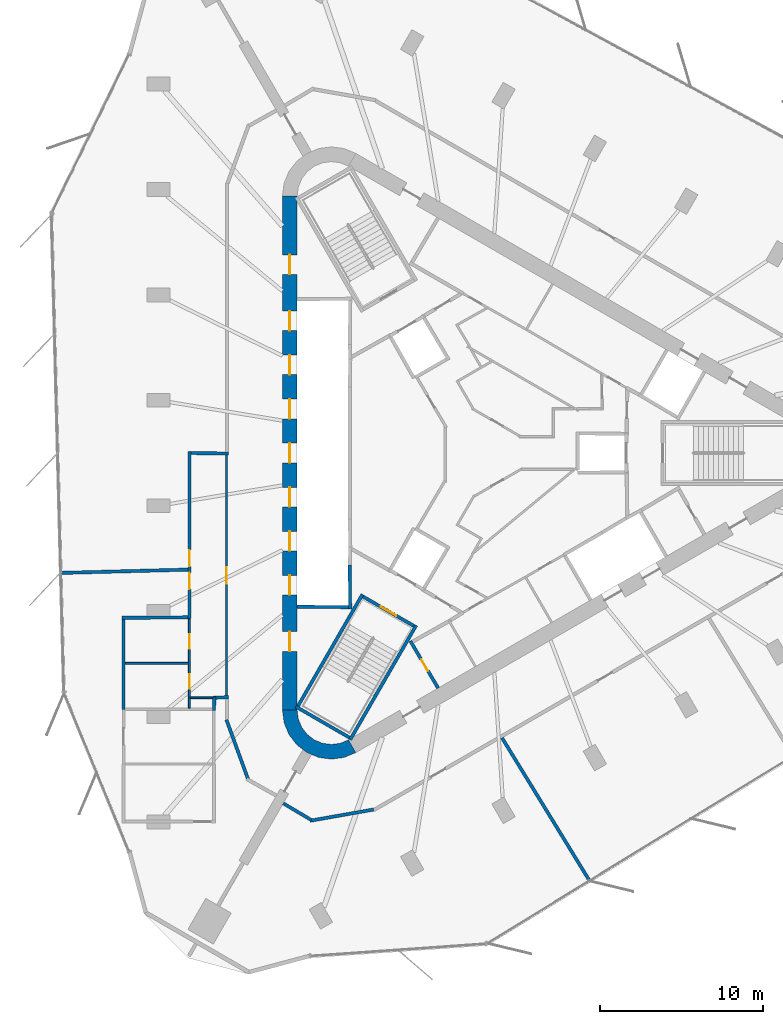
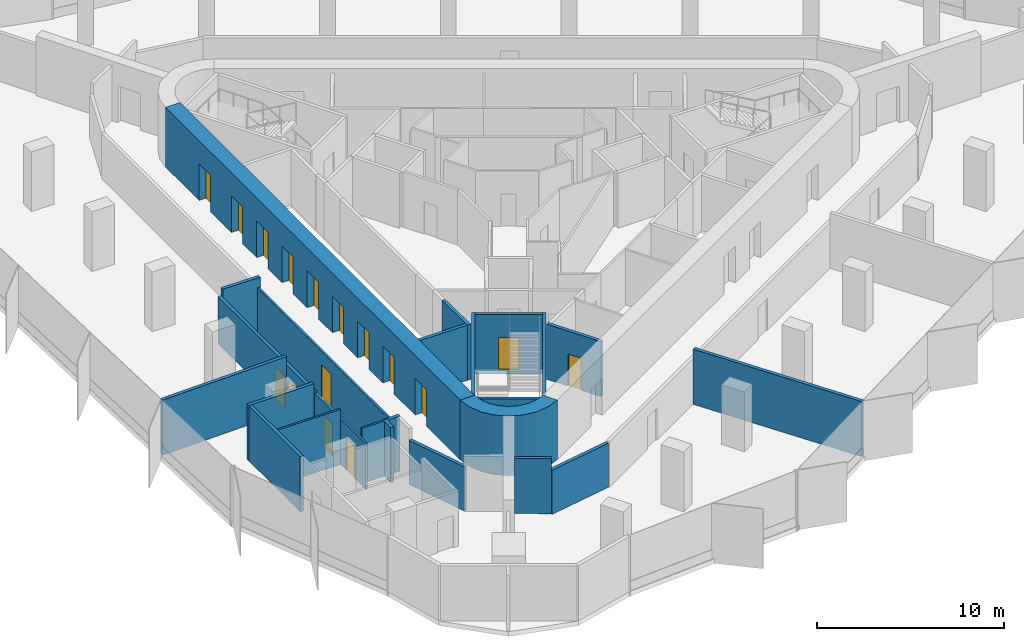
# One storey, part 7 of 12: 24 walls, 16 doors, 16 openings.
"""IFC4 building model written with IfcOpenShell, lengths in metres."""

from ifc_helpers import new_model, si_unit, direction, frame, frame_2d, origin, place, context, subcontext, project, spatial, polyline, rectangle, outline, extrude, material, layer, layer_set, type_object, element, fill, save


model = new_model("IFC4")

# Units and contexts
model_context = context("Model", 3, precision=1e-05, world=origin(), true_north=direction((0.0, 1.0)))
body_context = subcontext(model_context, "Body", "Model", "MODEL_VIEW")
ifc_project = project(units=[si_unit("LENGTHUNIT", "METRE"), si_unit("AREAUNIT", "SQUARE_METRE"), si_unit("VOLUMEUNIT", "CUBIC_METRE"), si_unit("PLANEANGLEUNIT", "RADIAN"), si_unit("MASSUNIT", "GRAM", prefix="KILO")], contexts=[model_context])

# Site, building, storey
site_placement = place(None, origin())
site = spatial("IfcSite", under=ifc_project, at=site_placement, CompositionType="ELEMENT")
building_placement = place(site_placement, origin())
building = spatial("IfcBuilding", under=site, at=building_placement, Name="Tanit Gate Tower", CompositionType="ELEMENT")
storey_placement = place(building_placement, frame((0.0, 0.0, 349.39990234375)))
storey = spatial("IfcBuildingStorey", under=building, at=storey_placement, Name="L79", CompositionType="ELEMENT", Elevation=349.39990234375)

# Wall, openings, doors
ifc_material_1 = material(Name="Concrete C40/50", Category="concrete")
ifc_layer_1 = layer(ifc_material_1, 0.89990234375)
ifc_layer_set_1 = layer_set([ifc_layer_1], Name="CORE WALL 900 C40/50")
wall_type_1 = type_object("IfcWallType", Name="CORE WALL 900 C40/50", PredefinedType="SHEAR", material=ifc_layer_set_1)
wall_1_placement = place(storey_placement, frame((-11.64990234375, 15.76171875, 0.0), z_axis=(0.0, 0.0, 1.0), x_axis=(0.0, -1.0, 0.0)))
wall_1 = element("IfcWall", 1, at=wall_1_placement, inside=storey, type_object=wall_type_1, Name="CORE WALL", PredefinedType="SHEAR", context=body_context, shape_type="SweptSolid", body=[
    extrude(rectangle(XDim=31.5234375, YDim=0.89990234375, at=frame_2d((15.76171875, 0.0))), origin(), (0.0, 0.0, 1.0), 3.900146484375),
])
opening_1_placement = place(wall_1_placement, frame((7.061767578125, 0.0, 0.0)))
opening_1 = element("IfcOpeningElement", 2, at=opening_1_placement, cuts=wall_1, Name="Opening LDHL1-S22", PredefinedType="OPENING", context=body_context, shape_type="SweptSolid", body=[
    extrude(rectangle(XDim=1.199951171875, YDim=2.39990234375, at=frame_2d((0.60009765625, 1.199951171875))), frame((0.0, 0.4599609375, 0.0), z_axis=(0.0, -1.0, 0.0), x_axis=(1.0, 0.0, 0.0)), (0.0, 0.0, 1.0), 0.919921875),
])
opening_2_placement = place(wall_1_placement, frame((9.76171875, 0.0, 0.0)))
opening_2 = element("IfcOpeningElement", 3, at=opening_2_placement, cuts=wall_1, Name="Opening LDHL2-S22", PredefinedType="OPENING", context=body_context, shape_type="SweptSolid", body=[
    extrude(rectangle(XDim=1.199951171875, YDim=2.39990234375, at=frame_2d((0.60009765625, 1.199951171875))), frame((0.0, 0.4599609375, 0.0), z_axis=(0.0, -1.0, 0.0), x_axis=(1.0, 0.0, 0.0)), (0.0, 0.0, 1.0), 0.919921875),
])
opening_3_placement = place(wall_1_placement, frame((12.461669921875, 0.0, 0.0)))
opening_3 = element("IfcOpeningElement", 4, at=opening_3_placement, cuts=wall_1, Name="Opening LDHL3-S22", PredefinedType="OPENING", context=body_context, shape_type="SweptSolid", body=[
    extrude(rectangle(XDim=1.199951171875, YDim=2.39990234375, at=frame_2d((0.60009765625, 1.199951171875))), frame((0.0, 0.4599609375, 0.0), z_axis=(0.0, -1.0, 0.0), x_axis=(1.0, 0.0, 0.0)), (0.0, 0.0, 1.0), 0.919921875),
])
opening_4_placement = place(wall_1_placement, frame((15.16162109375, 0.0, 0.0)))
opening_4 = element("IfcOpeningElement", 5, at=opening_4_placement, cuts=wall_1, Name="Opening LDHL4-S22", PredefinedType="OPENING", context=body_context, shape_type="SweptSolid", body=[
    extrude(rectangle(XDim=1.199951171875, YDim=2.39990234375, at=frame_2d((0.60009765625, 1.199951171875))), frame((0.0, 0.4599609375, 0.0), z_axis=(0.0, -1.0, 0.0), x_axis=(1.0, 0.0, 0.0)), (0.0, 0.0, 1.0), 0.919921875),
])
opening_5_placement = place(wall_1_placement, frame((17.86181640625, 0.0, 0.0)))
opening_5 = element("IfcOpeningElement", 6, at=opening_5_placement, cuts=wall_1, Name="Opening LDHL5-S22", PredefinedType="OPENING", context=body_context, shape_type="SweptSolid", body=[
    extrude(rectangle(XDim=1.199951171875, YDim=2.39990234375, at=frame_2d((0.60009765625, 1.199951171875))), frame((0.0, 0.4599609375, 0.0), z_axis=(0.0, -1.0, 0.0), x_axis=(1.0, 0.0, 0.0)), (0.0, 0.0, 1.0), 0.919921875),
])
opening_6_placement = place(wall_1_placement, frame((20.561767578125, 0.0, 0.0)))
opening_6 = element("IfcOpeningElement", 7, at=opening_6_placement, cuts=wall_1, Name="Opening LDHL6-S22", PredefinedType="OPENING", context=body_context, shape_type="SweptSolid", body=[
    extrude(rectangle(XDim=1.199951171875, YDim=2.39990234375, at=frame_2d((0.60009765625, 1.199951171875))), frame((0.0, 0.4599609375, 0.0), z_axis=(0.0, -1.0, 0.0), x_axis=(1.0, 0.0, 0.0)), (0.0, 0.0, 1.0), 0.919921875),
])
opening_7_placement = place(wall_1_placement, frame((23.26171875, 0.0, 0.0)))
opening_7 = element("IfcOpeningElement", 8, at=opening_7_placement, cuts=wall_1, Name="Opening LDHL7-S22", PredefinedType="OPENING", context=body_context, shape_type="SweptSolid", body=[
    extrude(rectangle(XDim=1.199951171875, YDim=2.39990234375, at=frame_2d((0.60009765625, 1.199951171875))), frame((0.0, 0.4599609375, 0.0), z_axis=(0.0, -1.0, 0.0), x_axis=(1.0, 0.0, 0.0)), (0.0, 0.0, 1.0), 0.919921875),
])
opening_8_placement = place(wall_1_placement, frame((3.61181640625, 0.0, 0.0)))
opening_8 = element("IfcOpeningElement", 9, at=opening_8_placement, cuts=wall_1, Name="Opening F12-S22-FL2", PredefinedType="OPENING", context=body_context, shape_type="SweptSolid", body=[
    extrude(rectangle(XDim=1.199951171875, YDim=2.39990234375, at=frame_2d((0.60009765625, 1.199951171875))), frame((0.0, 0.4599609375, 0.0), z_axis=(0.0, -1.0, 0.0), x_axis=(1.0, 0.0, 0.0)), (0.0, 0.0, 1.0), 0.919921875),
])
opening_9_placement = place(wall_1_placement, frame((26.711669921875, 0.0, 0.0)))
opening_9 = element("IfcOpeningElement", 10, at=opening_9_placement, cuts=wall_1, Name="Opening F12-S22-S3", PredefinedType="OPENING", context=body_context, shape_type="SweptSolid", body=[
    extrude(rectangle(XDim=1.199951171875, YDim=2.39990234375, at=frame_2d((0.60009765625, 1.199951171875))), frame((0.0, 0.4599609375, 0.0), z_axis=(0.0, -1.0, 0.0), x_axis=(1.0, 0.0, 0.0)), (0.0, 0.0, 1.0), 0.919921875),
])
ifc_material_2 = material(Name="Fire-rated steel door leaf", Category="steel")
door_type_1 = type_object("IfcDoorType", Name="INT-DOOR-FIRE-LOBBY-1200", OperationType="NOTDEFINED", PredefinedType="USERDEFINED", material=ifc_material_2)
door_1_placement = place(opening_8_placement, origin())
door_1 = element("IfcDoor", 11, at=door_1_placement, inside=storey, type_object=door_type_1, Name="Door F12-S22-FL2", ObjectType="FIRE DOOR", OperationType="SINGLE_SWING_LEFT", OverallHeight=2.39990234375, OverallWidth=1.199951171875, PredefinedType="USERDEFINED", context=body_context, shape_type="SweptSolid", body=[
    extrude(rectangle(XDim=1.199951171875, YDim=2.39990234375, at=frame_2d((0.60009765625, 1.199951171875))), frame((0.0, 0.02490234375, 0.0), z_axis=(0.0, -1.0, 0.0), x_axis=(1.0, 0.0, 0.0)), (0.0, 0.0, 1.0), 0.050048828125),
])
fill(opening_8, door_1)
door_2_placement = place(opening_9_placement, origin())
door_2 = element("IfcDoor", 12, at=door_2_placement, inside=storey, type_object=door_type_1, Name="Door F12-S22-S3", ObjectType="FIRE DOOR", OperationType="SINGLE_SWING_RIGHT", OverallHeight=2.39990234375, OverallWidth=1.199951171875, PredefinedType="USERDEFINED", context=body_context, shape_type="SweptSolid", body=[
    extrude(rectangle(XDim=1.199951171875, YDim=2.39990234375, at=frame_2d((0.60009765625, 1.199951171875))), frame((0.0, 0.02490234375, 0.0), z_axis=(0.0, -1.0, 0.0), x_axis=(1.0, 0.0, 0.0)), (0.0, 0.0, 1.0), 0.050048828125),
])
fill(opening_9, door_2)
ifc_material_3 = material(Name="Stainless steel sliding door leaf", Category="steel")
door_type_2 = type_object("IfcDoorType", Name="INT-DOOR-LANDING-1200", OperationType="NOTDEFINED", PredefinedType="USERDEFINED", material=ifc_material_3)
door_3_placement = place(opening_1_placement, origin())
door_3 = element("IfcDoor", 13, at=door_3_placement, inside=storey, type_object=door_type_2, Name="Door LDHL1-S22", ObjectType="LANDING DOOR", OperationType="SLIDING_TO_LEFT", OverallHeight=2.39990234375, OverallWidth=1.199951171875, PredefinedType="USERDEFINED", context=body_context, shape_type="SweptSolid", body=[
    extrude(rectangle(XDim=1.199951171875, YDim=2.39990234375, at=frame_2d((0.60009765625, 1.199951171875))), frame((0.0, 0.02490234375, 0.0), z_axis=(0.0, -1.0, 0.0), x_axis=(1.0, 0.0, 0.0)), (0.0, 0.0, 1.0), 0.050048828125),
])
fill(opening_1, door_3)
door_4_placement = place(opening_2_placement, origin())
door_4 = element("IfcDoor", 14, at=door_4_placement, inside=storey, type_object=door_type_2, Name="Door LDHL2-S22", ObjectType="LANDING DOOR", OperationType="SLIDING_TO_LEFT", OverallHeight=2.39990234375, OverallWidth=1.199951171875, PredefinedType="USERDEFINED", context=body_context, shape_type="SweptSolid", body=[
    extrude(rectangle(XDim=1.199951171875, YDim=2.39990234375, at=frame_2d((0.60009765625, 1.199951171875))), frame((0.0, 0.02490234375, 0.0), z_axis=(0.0, -1.0, 0.0), x_axis=(1.0, 0.0, 0.0)), (0.0, 0.0, 1.0), 0.050048828125),
])
fill(opening_2, door_4)
door_5_placement = place(opening_3_placement, origin())
door_5 = element("IfcDoor", 15, at=door_5_placement, inside=storey, type_object=door_type_2, Name="Door LDHL3-S22", ObjectType="LANDING DOOR", OperationType="SLIDING_TO_LEFT", OverallHeight=2.39990234375, OverallWidth=1.199951171875, PredefinedType="USERDEFINED", context=body_context, shape_type="SweptSolid", body=[
    extrude(rectangle(XDim=1.199951171875, YDim=2.39990234375, at=frame_2d((0.60009765625, 1.199951171875))), frame((0.0, 0.02490234375, 0.0), z_axis=(0.0, -1.0, 0.0), x_axis=(1.0, 0.0, 0.0)), (0.0, 0.0, 1.0), 0.050048828125),
])
fill(opening_3, door_5)
door_6_placement = place(opening_4_placement, origin())
door_6 = element("IfcDoor", 16, at=door_6_placement, inside=storey, type_object=door_type_2, Name="Door LDHL4-S22", ObjectType="LANDING DOOR", OperationType="SLIDING_TO_LEFT", OverallHeight=2.39990234375, OverallWidth=1.199951171875, PredefinedType="USERDEFINED", context=body_context, shape_type="SweptSolid", body=[
    extrude(rectangle(XDim=1.199951171875, YDim=2.39990234375, at=frame_2d((0.60009765625, 1.199951171875))), frame((0.0, 0.02490234375, 0.0), z_axis=(0.0, -1.0, 0.0), x_axis=(1.0, 0.0, 0.0)), (0.0, 0.0, 1.0), 0.050048828125),
])
fill(opening_4, door_6)
door_7_placement = place(opening_5_placement, origin())
door_7 = element("IfcDoor", 17, at=door_7_placement, inside=storey, type_object=door_type_2, Name="Door LDHL5-S22", ObjectType="LANDING DOOR", OperationType="SLIDING_TO_LEFT", OverallHeight=2.39990234375, OverallWidth=1.199951171875, PredefinedType="USERDEFINED", context=body_context, shape_type="SweptSolid", body=[
    extrude(rectangle(XDim=1.199951171875, YDim=2.39990234375, at=frame_2d((0.60009765625, 1.199951171875))), frame((0.0, 0.02490234375, 0.0), z_axis=(0.0, -1.0, 0.0), x_axis=(1.0, 0.0, 0.0)), (0.0, 0.0, 1.0), 0.050048828125),
])
fill(opening_5, door_7)
door_8_placement = place(opening_6_placement, origin())
door_8 = element("IfcDoor", 18, at=door_8_placement, inside=storey, type_object=door_type_2, Name="Door LDHL6-S22", ObjectType="LANDING DOOR", OperationType="SLIDING_TO_LEFT", OverallHeight=2.39990234375, OverallWidth=1.199951171875, PredefinedType="USERDEFINED", context=body_context, shape_type="SweptSolid", body=[
    extrude(rectangle(XDim=1.199951171875, YDim=2.39990234375, at=frame_2d((0.60009765625, 1.199951171875))), frame((0.0, 0.02490234375, 0.0), z_axis=(0.0, -1.0, 0.0), x_axis=(1.0, 0.0, 0.0)), (0.0, 0.0, 1.0), 0.050048828125),
])
fill(opening_6, door_8)
door_9_placement = place(opening_7_placement, origin())
door_9 = element("IfcDoor", 19, at=door_9_placement, inside=storey, type_object=door_type_2, Name="Door LDHL7-S22", ObjectType="LANDING DOOR", OperationType="SLIDING_TO_LEFT", OverallHeight=2.39990234375, OverallWidth=1.199951171875, PredefinedType="USERDEFINED", context=body_context, shape_type="SweptSolid", body=[
    extrude(rectangle(XDim=1.199951171875, YDim=2.39990234375, at=frame_2d((0.60009765625, 1.199951171875))), frame((0.0, 0.02490234375, 0.0), z_axis=(0.0, -1.0, 0.0), x_axis=(1.0, 0.0, 0.0)), (0.0, 0.0, 1.0), 0.050048828125),
])
fill(opening_7, door_9)

# Wall
wall_2_placement = place(storey_placement, origin())
element("IfcWall", 20, at=wall_2_placement, inside=storey, type_object=wall_type_1, Name="CORE WALL CORNER", PredefinedType="SHEAR", context=body_context, shape_type="SweptSolid", body=[
    extrude(outline(polyline([(-12.10009765625, -15.76171875), (-11.997802734375, -16.5380859375), (-11.697998046875, -17.26171875), (-11.22119140625, -17.883056640625), (-10.60009765625, -18.359619140625), (-9.87646484375, -18.659423828125), (-9.10009765625, -18.76171875), (-8.323486328125, -18.659423828125), (-7.60009765625, -18.359619140625), (-8.050048828125, -17.580322265625), (-8.556396484375, -17.7900390625), (-9.10009765625, -17.86181640625), (-9.6435546875, -17.7900390625), (-10.14990234375, -17.580322265625), (-10.5849609375, -17.24658203125), (-10.918701171875, -16.811767578125), (-11.12841796875, -16.30517578125), (-11.199951171875, -15.76171875), (-12.10009765625, -15.76171875)])), origin(), (0.0, 0.0, 1.0), 3.900146484375),
])

# Wall, opening, door
ifc_material_4 = material(Name="Fire-rated gypsum board partition")
ifc_layer_2 = layer(ifc_material_4, 0.199951171875)
ifc_layer_set_2 = layer_set([ifc_layer_2], Name="INT-WALL-COMPARTMENT")
wall_type_2 = type_object("IfcWallType", Name="INT-WALL-COMPARTMENT", PredefinedType="PARTITIONING", material=ifc_layer_set_2)
wall_3_placement = place(storey_placement, frame((-4.259765625, -11.523681640625, 0.0), z_axis=(0.0, 0.0, 1.0), x_axis=(0.507997497166, -0.861358544901, 0.0)))
wall_3 = element("IfcWall", 21, at=wall_3_placement, inside=storey, type_object=wall_type_2, Name="Wall Compartment W053", PredefinedType="PARTITIONING", context=body_context, shape_type="SweptSolid", body=[
    extrude(rectangle(XDim=3.350341796875, YDim=0.199951171875, at=frame_2d((1.67529296875, 0.0))), origin(), (0.0, 0.0, 1.0), 3.60009765625),
])
opening_10_placement = place(wall_3_placement, frame((1.3251953125, 0.0, 0.0)))
opening_10 = element("IfcOpeningElement", 22, at=opening_10_placement, cuts=wall_3, Name="Opening R08-S22-17", PredefinedType="OPENING", context=body_context, shape_type="SweptSolid", body=[
    extrude(rectangle(XDim=0.800048828125, YDim=2.10009765625, at=frame_2d((0.39990234375, 1.050048828125))), frame((0.0, 0.10986328125, 0.0), z_axis=(0.0, -1.0, 0.0), x_axis=(1.0, 0.0, 0.0)), (0.0, 0.0, 1.0), 0.219970703125),
])
ifc_material_5 = material(Name="Timber door leaf", Category="wood")
door_type_3 = type_object("IfcDoorType", Name="INT-DOOR-RISER-800", OperationType="NOTDEFINED", PredefinedType="USERDEFINED", material=ifc_material_5)
door_10_placement = place(opening_10_placement, origin())
door_10 = element("IfcDoor", 23, at=door_10_placement, inside=storey, type_object=door_type_3, Name="Door R08-S22-17", ObjectType="FIRE DOOR", OperationType="SINGLE_SWING_RIGHT", OverallHeight=2.10009765625, OverallWidth=0.800048828125, PredefinedType="USERDEFINED", context=body_context, shape_type="SweptSolid", body=[
    extrude(rectangle(XDim=0.800048828125, YDim=2.10009765625, at=frame_2d((0.39990234375, 1.050048828125))), frame((0.0, 0.02490234375, 0.0), z_axis=(0.0, -1.0, 0.0), x_axis=(1.0, 0.0, 0.0)), (0.0, 0.0, 1.0), 0.050048828125),
])
fill(opening_10, door_10)

# Wall, openings, doors
wall_4_placement = place(storey_placement, frame((-17.800048828125, 0.10009765625, 0.0), z_axis=(0.0, 0.0, 1.0), x_axis=(0.0, -1.0, 0.0)))
wall_4 = element("IfcWall", 24, at=wall_4_placement, inside=storey, type_object=wall_type_2, Name="Wall Compartment W094", PredefinedType="PARTITIONING", context=body_context, shape_type="SweptSolid", body=[
    extrude(rectangle(XDim=10.22998046875, YDim=0.199951171875, at=frame_2d((5.114990234375, 0.0))), origin(), (0.0, 0.0, 1.0), 3.070068359375),
])
opening_11_placement = place(wall_4_placement, frame((7.444580078125, 0.0, 0.0)))
opening_11 = element("IfcOpeningElement", 25, at=opening_11_placement, cuts=wall_4, Name="Opening F10-S22-26", PredefinedType="OPENING", context=body_context, shape_type="SweptSolid", body=[
    extrude(rectangle(XDim=1.0, YDim=2.10009765625, at=frame_2d((0.5, 1.050048828125))), frame((0.0, 0.10986328125, 0.0), z_axis=(0.0, -1.0, 0.0), x_axis=(1.0, 0.0, 0.0)), (0.0, 0.0, 1.0), 0.219970703125),
])
opening_12_placement = place(wall_4_placement, frame((6.044677734375, 0.0, 0.0)))
opening_12 = element("IfcOpeningElement", 26, at=opening_12_placement, cuts=wall_4, Name="Opening F10-S22-27", PredefinedType="OPENING", context=body_context, shape_type="SweptSolid", body=[
    extrude(rectangle(XDim=1.0, YDim=2.10009765625, at=frame_2d((0.5, 1.050048828125))), frame((0.0, 0.10986328125, 0.0), z_axis=(0.0, -1.0, 0.0), x_axis=(1.0, 0.0, 0.0)), (0.0, 0.0, 1.0), 0.219970703125),
])
ifc_material_6 = material(Name="Fire-rated steel door leaf", Category="steel")
door_type_4 = type_object("IfcDoorType", Name="INT-DOOR-FIRE-1000", OperationType="NOTDEFINED", PredefinedType="USERDEFINED", material=ifc_material_6)
door_11_placement = place(opening_11_placement, origin())
door_11 = element("IfcDoor", 27, at=door_11_placement, inside=storey, type_object=door_type_4, Name="Door F10-S22-26", ObjectType="FIRE DOOR", OperationType="SINGLE_SWING_RIGHT", OverallHeight=2.10009765625, OverallWidth=1.0, PredefinedType="USERDEFINED", context=body_context, shape_type="SweptSolid", body=[
    extrude(rectangle(XDim=1.0, YDim=2.10009765625, at=frame_2d((0.5, 1.050048828125))), frame((0.0, 0.02490234375, 0.0), z_axis=(0.0, -1.0, 0.0), x_axis=(1.0, 0.0, 0.0)), (0.0, 0.0, 1.0), 0.050048828125),
])
fill(opening_11, door_11)
door_12_placement = place(opening_12_placement, origin())
door_12 = element("IfcDoor", 28, at=door_12_placement, inside=storey, type_object=door_type_4, Name="Door F10-S22-27", ObjectType="FIRE DOOR", OperationType="SINGLE_SWING_LEFT", OverallHeight=2.10009765625, OverallWidth=1.0, PredefinedType="USERDEFINED", context=body_context, shape_type="SweptSolid", body=[
    extrude(rectangle(XDim=1.0, YDim=2.10009765625, at=frame_2d((0.5, 1.050048828125))), frame((0.0, 0.02490234375, 0.0), z_axis=(0.0, -1.0, 0.0), x_axis=(1.0, 0.0, 0.0)), (0.0, 0.0, 1.0), 0.050048828125),
])
fill(opening_12, door_12)

# Walls
wall_5_placement = place(storey_placement, frame((-16.330078125, -15.0, 0.0), z_axis=(0.0, 0.0, 1.0), x_axis=(0.999344339616, 0.036206227059, 0.0)))
element("IfcWall", 29, at=wall_5_placement, inside=storey, type_object=wall_type_2, Name="Wall Compartment W093", PredefinedType="PARTITIONING", context=body_context, shape_type="SweptSolid", body=[
    extrude(rectangle(XDim=0.930419921875, YDim=0.199951171875, at=frame_2d((0.46533203125, 0.0))), origin(), (0.0, 0.0, 1.0), 3.60009765625),
])
wall_6_placement = place(storey_placement, frame((-15.39990234375, -0.03125, 0.0), z_axis=(0.0, 0.0, 1.0), x_axis=(-0.999914782125, 0.013054826261, 0.0)))
element("IfcWall", 30, at=wall_6_placement, inside=storey, type_object=wall_type_2, Name="Wall Compartment W095", PredefinedType="PARTITIONING", context=body_context, shape_type="SweptSolid", body=[
    extrude(rectangle(XDim=2.30029296875, YDim=0.199951171875, at=frame_2d((1.150146484375, 0.0))), origin(), (0.0, 0.0, 1.0), 3.60009765625),
])
wall_7_placement = place(storey_placement, frame((-15.5341796875, -16.346435546875, 0.0), z_axis=(0.0, 0.0, 1.0), x_axis=(0.342001008711, -0.939699584996, 0.0)))
element("IfcWall", 31, at=wall_7_placement, inside=storey, type_object=wall_type_2, Name="Wall Compartment W100", PredefinedType="PARTITIONING", context=body_context, shape_type="SweptSolid", body=[
    extrude(rectangle(XDim=3.87548828125, YDim=0.199951171875, at=frame_2d((1.937744140625, 0.0))), origin(), (0.0, 0.0, 1.0), 2.880126953125),
])
wall_8_placement = place(storey_placement, frame((-10.405517578125, -22.53759765625, 0.0), z_axis=(0.0, 0.0, 1.0), x_axis=(0.98480284819, 0.173675991999, 0.0)))
element("IfcWall", 32, at=wall_8_placement, inside=storey, type_object=wall_type_2, Name="Wall Compartment W115", PredefinedType="PARTITIONING", context=body_context, shape_type="SweptSolid", body=[
    extrude(rectangle(XDim=3.94873046875, YDim=0.199951171875, at=frame_2d((1.974365234375, 0.0))), origin(), (0.0, 0.0, 1.0), 2.880126953125),
])
wall_9_placement = place(storey_placement, frame((-12.05029296875, -21.4716796875, 0.0), z_axis=(0.0, 0.0, 1.0), x_axis=(0.859577966481, -0.511004617924, 0.0)))
element("IfcWall", 33, at=wall_9_placement, inside=storey, type_object=wall_type_2, Name="Wall Compartment W116", PredefinedType="PARTITIONING", context=body_context, shape_type="SweptSolid", body=[
    extrude(rectangle(XDim=1.99755859375, YDim=0.199951171875, at=frame_2d((0.998779296875, 0.0))), origin(), (0.0, 0.0, 1.0), 3.60009765625),
])
wall_10_placement = place(storey_placement, frame((-25.68115234375, -7.348876953125, 0.0), z_axis=(0.0, 0.0, 1.0), x_axis=(0.999664345276, 0.025907465776, 0.0)))
element("IfcWall", 34, at=wall_10_placement, inside=storey, type_object=wall_type_2, Name="Wall Compartment W117", PredefinedType="PARTITIONING", context=body_context, shape_type="SweptSolid", body=[
    extrude(rectangle(XDim=7.783935546875, YDim=0.199951171875, at=frame_2d((3.89208984375, 0.0))), origin(), (0.0, 0.0, 1.0), 3.60009765625),
])
wall_11_placement = place(storey_placement, frame((-17.89990234375, -10.07080078125, 0.0), z_axis=(0.0, 0.0, 1.0), x_axis=(-0.999972376977, -0.007432717088, 0.0)))
element("IfcWall", 35, at=wall_11_placement, inside=storey, type_object=wall_type_2, Name="Wall Compartment W120", PredefinedType="PARTITIONING", context=body_context, shape_type="SweptSolid", body=[
    extrude(rectangle(XDim=4.0400390625, YDim=0.199951171875, at=frame_2d((2.02001953125, 0.0))), origin(), (0.0, 0.0, 1.0), 3.60009765625),
])
wall_12_placement = place(storey_placement, frame((-21.840087890625, -15.704345703125, 0.0), z_axis=(0.0, 0.0, 1.0), x_axis=(0.0, 1.0, 0.0)))
element("IfcWall", 36, at=wall_12_placement, inside=storey, type_object=wall_type_2, Name="Wall Compartment W122", PredefinedType="PARTITIONING", context=body_context, shape_type="SweptSolid", body=[
    extrude(rectangle(XDim=5.50439453125, YDim=0.199951171875, at=frame_2d((2.752197265625, 0.0))), origin(), (0.0, 0.0, 1.0), 3.60009765625),
])
wall_13_placement = place(storey_placement, frame((-16.300048828125, -15.771728515625, 0.0), z_axis=(0.0, 0.0, 1.0), x_axis=(0.039007565522, 0.999238915291, 0.0)))
element("IfcWall", 37, at=wall_13_placement, inside=storey, type_object=wall_type_2, Name="Wall Compartment W123", PredefinedType="PARTITIONING", context=body_context, shape_type="SweptSolid", body=[
    extrude(rectangle(XDim=0.83251953125, YDim=0.199951171875, at=frame_2d((0.416259765625, 0.0))), origin(), (0.0, 0.0, 1.0), 3.60009765625),
])
wall_14_placement = place(storey_placement, frame((6.71875, -26.213134765625, 0.0), z_axis=(0.0, 0.0, 1.0), x_axis=(-0.522271430508, 0.852779310769, 0.0)))
element("IfcWall", 38, at=wall_14_placement, inside=storey, type_object=wall_type_2, Name="Wall Compartment W134", PredefinedType="PARTITIONING", context=body_context, shape_type="SweptSolid", body=[
    extrude(rectangle(XDim=10.263916015625, YDim=0.199951171875, at=frame_2d((5.1318359375, 0.0))), origin(), (0.0, 0.0, 1.0), 3.60009765625),
])

# Wall, opening, door
ifc_material_7 = material(Name="Gypsum board partition")
ifc_layer_3 = layer(ifc_material_7, 0.1201171875)
ifc_layer_set_3 = layer_set([ifc_layer_3], Name="INT-WALL-PARTITION")
wall_type_3 = type_object("IfcWallType", Name="INT-WALL-PARTITION", PredefinedType="PARTITIONING", material=ifc_layer_set_3)
wall_15_placement = place(storey_placement, frame((-15.530029296875, 0.0, 0.0), z_axis=(0.0, 0.0, 1.0), x_axis=(0.0, -1.0, 0.0)))
wall_15 = element("IfcWall", 39, at=wall_15_placement, inside=storey, type_object=wall_type_3, Name="Wall Partition W091", PredefinedType="PARTITIONING", context=body_context, shape_type="SweptSolid", body=[
    extrude(rectangle(XDim=15.0, YDim=0.1201171875, at=frame_2d((7.5, 0.0))), origin(), (0.0, 0.0, 1.0), 2.97021484375),
])
opening_13_placement = place(wall_15_placement, frame((7.0, 0.0, 0.0)))
opening_13 = element("IfcOpeningElement", 40, at=opening_13_placement, cuts=wall_15, Name="Opening D10-S22-21", PredefinedType="OPENING", context=body_context, shape_type="SweptSolid", body=[
    extrude(rectangle(XDim=1.0, YDim=2.10009765625, at=frame_2d((0.5, 1.050048828125))), frame((0.0, 0.070068359375, 0.0), z_axis=(0.0, -1.0, 0.0), x_axis=(1.0, 0.0, 0.0)), (0.0, 0.0, 1.0), 0.14013671875),
])
ifc_material_8 = material(Name="Timber door leaf", Category="wood")
door_type_5 = type_object("IfcDoorType", Name="INT-DOOR-SINGLE-1000", OperationType="NOTDEFINED", PredefinedType="NOTDEFINED", material=ifc_material_8)
door_13_placement = place(opening_13_placement, origin())
door_13 = element("IfcDoor", 41, at=door_13_placement, inside=storey, type_object=door_type_5, Name="Door D10-S22-21", OperationType="SINGLE_SWING_LEFT", OverallHeight=2.10009765625, OverallWidth=1.0, PredefinedType="NOTDEFINED", context=body_context, shape_type="SweptSolid", body=[
    extrude(rectangle(XDim=1.0, YDim=2.10009765625, at=frame_2d((0.5, 1.050048828125))), frame((0.0, 0.02490234375, 0.0), z_axis=(0.0, -1.0, 0.0), x_axis=(1.0, 0.0, 0.0)), (0.0, 0.0, 1.0), 0.050048828125),
])
fill(opening_13, door_13)

# Wall, openings, doors
wall_16_placement = place(storey_placement, frame((-17.800048828125, -10.169921875, 0.0), z_axis=(0.0, 0.0, 1.0), x_axis=(0.0, -1.0, 0.0)))
wall_16 = element("IfcWall", 42, at=wall_16_placement, inside=storey, type_object=wall_type_3, Name="Wall Partition W096", PredefinedType="PARTITIONING", context=body_context, shape_type="SweptSolid", body=[
    extrude(rectangle(XDim=5.466796875, YDim=0.1201171875, at=frame_2d((2.7333984375, 0.0))), origin(), (0.0, 0.0, 1.0), 2.97021484375),
])
opening_14_placement = place(wall_16_placement, frame((0.940185546875, 0.0, 0.0)))
opening_14 = element("IfcOpeningElement", 43, at=opening_14_placement, cuts=wall_16, Name="Opening D09-S22-22", PredefinedType="OPENING", context=body_context, shape_type="SweptSolid", body=[
    extrude(rectangle(XDim=0.89990234375, YDim=2.10009765625, at=frame_2d((0.449951171875, 1.050048828125))), frame((0.0, 0.070068359375, 0.0), z_axis=(0.0, -1.0, 0.0), x_axis=(1.0, 0.0, 0.0)), (0.0, 0.0, 1.0), 0.14013671875),
])
opening_15_placement = place(wall_16_placement, frame((3.385009765625, 0.0, 0.0)))
opening_15 = element("IfcOpeningElement", 44, at=opening_15_placement, cuts=wall_16, Name="Opening D09-S22-23", PredefinedType="OPENING", context=body_context, shape_type="SweptSolid", body=[
    extrude(rectangle(XDim=0.89990234375, YDim=2.10009765625, at=frame_2d((0.449951171875, 1.050048828125))), frame((0.0, 0.070068359375, 0.0), z_axis=(0.0, -1.0, 0.0), x_axis=(1.0, 0.0, 0.0)), (0.0, 0.0, 1.0), 0.14013671875),
])
ifc_material_9 = material(Name="Timber door leaf", Category="wood")
door_type_6 = type_object("IfcDoorType", Name="INT-DOOR-SINGLE-900", OperationType="NOTDEFINED", PredefinedType="NOTDEFINED", material=ifc_material_9)
door_14_placement = place(opening_14_placement, origin())
door_14 = element("IfcDoor", 45, at=door_14_placement, inside=storey, type_object=door_type_6, Name="Door D09-S22-22", OperationType="SINGLE_SWING_RIGHT", OverallHeight=2.10009765625, OverallWidth=0.89990234375, PredefinedType="NOTDEFINED", context=body_context, shape_type="SweptSolid", body=[
    extrude(rectangle(XDim=0.89990234375, YDim=2.10009765625, at=frame_2d((0.449951171875, 1.050048828125))), frame((0.0, 0.02490234375, 0.0), z_axis=(0.0, -1.0, 0.0), x_axis=(1.0, 0.0, 0.0)), (0.0, 0.0, 1.0), 0.050048828125),
])
fill(opening_14, door_14)
door_15_placement = place(opening_15_placement, origin())
door_15 = element("IfcDoor", 46, at=door_15_placement, inside=storey, type_object=door_type_6, Name="Door D09-S22-23", OperationType="SINGLE_SWING_LEFT", OverallHeight=2.10009765625, OverallWidth=0.89990234375, PredefinedType="NOTDEFINED", context=body_context, shape_type="SweptSolid", body=[
    extrude(rectangle(XDim=0.89990234375, YDim=2.10009765625, at=frame_2d((0.449951171875, 1.050048828125))), frame((0.0, 0.02490234375, 0.0), z_axis=(0.0, -1.0, 0.0), x_axis=(1.0, 0.0, 0.0)), (0.0, 0.0, 1.0), 0.050048828125),
])
fill(opening_15, door_15)

# Walls
wall_17_placement = place(storey_placement, frame((-17.739990234375, -15.0, 0.0), z_axis=(0.0, 0.0, 1.0), x_axis=(1.0, 0.0, 0.0)))
element("IfcWall", 47, at=wall_17_placement, inside=storey, type_object=wall_type_3, Name="Wall Partition W097", PredefinedType="PARTITIONING", context=body_context, shape_type="SweptSolid", body=[
    extrude(rectangle(XDim=1.369873046875, YDim=0.1201171875, at=frame_2d((0.68505859375, 0.0))), origin(), (0.0, 0.0, 1.0), 3.60009765625),
])
wall_18_placement = place(storey_placement, frame((-17.860107421875, -12.89013671875, 0.0), z_axis=(0.0, 0.0, 1.0), x_axis=(-1.0, 0.0, 0.0)))
element("IfcWall", 48, at=wall_18_placement, inside=storey, type_object=wall_type_3, Name="Wall Partition W135", PredefinedType="PARTITIONING", context=body_context, shape_type="SweptSolid", body=[
    extrude(rectangle(XDim=3.8798828125, YDim=0.1201171875, at=frame_2d((1.93994140625, 0.0))), origin(), (0.0, 0.0, 1.0), 3.60009765625),
])
ifc_material_10 = material(Name="Gypsum shaft wall system")
ifc_layer_4 = layer(ifc_material_10, 0.199951171875)
ifc_layer_set_4 = layer_set([ifc_layer_4], Name="INT-WALL-SHAFT")
wall_type_4 = type_object("IfcWallType", Name="INT-WALL-SHAFT", PredefinedType="PLUMBINGWALL", material=ifc_layer_set_4)
wall_19_placement = place(storey_placement, frame((-7.97900390625, -6.85009765625, 0.0), z_axis=(0.0, 0.0, 1.0), x_axis=(0.011121475088, -0.999938154483, 0.0)))
element("IfcWall", 49, at=wall_19_placement, inside=storey, type_object=wall_type_4, Name="Wall Shaft W010", PredefinedType="PLUMBINGWALL", context=body_context, shape_type="SweptSolid", body=[
    extrude(rectangle(XDim=2.7001953125, YDim=0.199951171875, at=frame_2d((1.35009765625, 0.0))), origin(), (0.0, 0.0, 1.0), 3.60009765625),
])
wall_20_placement = place(storey_placement, frame((-8.050048828125, -9.448974609375, 0.0), z_axis=(0.0, 0.0, 1.0), x_axis=(-0.999957467379, 0.009222983926, 0.0)))
element("IfcWall", 50, at=wall_20_placement, inside=storey, type_object=wall_type_4, Name="Wall Shaft W011", PredefinedType="PLUMBINGWALL", context=body_context, shape_type="SweptSolid", body=[
    extrude(rectangle(XDim=3.150146484375, YDim=0.199951171875, at=frame_2d((1.5751953125, 0.0))), origin(), (0.0, 0.0, 1.0), 3.60009765625),
])
ifc_material_11 = material(Name="Concrete C40/50", Category="concrete")
ifc_layer_5 = layer(ifc_material_11, 0.199951171875)
ifc_layer_set_5 = layer_set([ifc_layer_5], Name="INT-WALL-STAIR")
wall_type_5 = type_object("IfcWallType", Name="INT-WALL-STAIR", PredefinedType="SHEAR", material=ifc_layer_set_5)
wall_21_placement = place(storey_placement, frame((-3.904541015625, -10.56298828125, -0.2998046875), z_axis=(0.0, 0.0, 1.0), x_axis=(-0.500012932018, -0.866017937352, 0.0)))
element("IfcWall", 51, at=wall_21_placement, inside=storey, type_object=wall_type_5, Name="Wall Stair W036", PredefinedType="SHEAR", context=body_context, shape_type="SweptSolid", body=[
    extrude(rectangle(XDim=8.099853515625, YDim=0.199951171875, at=frame_2d((4.0498046875, 0.0))), origin(), (0.0, 0.0, 1.0), 3.89990234375),
])
wall_22_placement = place(storey_placement, frame((-11.281982421875, -15.541015625, -0.2998046875), z_axis=(0.0, 0.0, 1.0), x_axis=(0.866000483506, -0.500043160704, 0.0)))
element("IfcWall", 52, at=wall_22_placement, inside=storey, type_object=wall_type_5, Name="Wall Stair W037", PredefinedType="SHEAR", context=body_context, shape_type="SweptSolid", body=[
    extrude(rectangle(XDim=3.800048828125, YDim=0.199951171875, at=frame_2d((1.89990234375, 0.0))), origin(), (0.0, 0.0, 1.0), 3.89990234375),
])
wall_23_placement = place(storey_placement, frame((-7.195556640625, -8.662841796875, -0.2998046875), z_axis=(0.0, 0.0, 1.0), x_axis=(-0.499997992926, -0.866026562566, 0.0)))
element("IfcWall", 53, at=wall_23_placement, inside=storey, type_object=wall_type_5, Name="Wall Stair W038", PredefinedType="SHEAR", context=body_context, shape_type="SweptSolid", body=[
    extrude(rectangle(XDim=7.89990234375, YDim=0.199951171875, at=frame_2d((3.949951171875, 0.0))), origin(), (0.0, 0.0, 1.0), 3.89990234375),
])

# Wall, opening, door
wall_24_placement = place(storey_placement, frame((-4.041259765625, -10.599365234375, -0.2998046875), z_axis=(0.0, 0.0, 1.0), x_axis=(-0.866047807691, 0.499961193289, 0.0)))
wall_24 = element("IfcWall", 54, at=wall_24_placement, inside=storey, type_object=wall_type_5, Name="Wall Stair W039", PredefinedType="SHEAR", context=body_context, shape_type="SweptSolid", body=[
    extrude(rectangle(XDim=3.599853515625, YDim=0.199951171875, at=frame_2d((1.7998046875, 0.0))), origin(), (0.0, 0.0, 1.0), 3.89990234375),
])
opening_16_placement = place(wall_24_placement, frame((1.25, 0.0, 0.300048828125)))
opening_16 = element("IfcOpeningElement", 55, at=opening_16_placement, cuts=wall_24, Name="Opening S11-S22-07", PredefinedType="OPENING", context=body_context, shape_type="SweptSolid", body=[
    extrude(rectangle(XDim=1.10009765625, YDim=2.10009765625, at=frame_2d((0.550048828125, 1.050048828125))), frame((0.0, 0.10986328125, 0.0), z_axis=(0.0, -1.0, 0.0), x_axis=(1.0, 0.0, 0.0)), (0.0, 0.0, 1.0), 0.219970703125),
])
ifc_material_12 = material(Name="Timber door leaf", Category="wood")
door_type_7 = type_object("IfcDoorType", Name="INT-DOOR-STAIR-1100", OperationType="NOTDEFINED", PredefinedType="USERDEFINED", material=ifc_material_12)
door_16_placement = place(opening_16_placement, origin())
door_16 = element("IfcDoor", 56, at=door_16_placement, inside=storey, type_object=door_type_7, Name="Door S11-S22-07", ObjectType="FIRE DOOR", OperationType="SINGLE_SWING_LEFT", OverallHeight=2.10009765625, OverallWidth=1.10009765625, PredefinedType="USERDEFINED", context=body_context, shape_type="SweptSolid", body=[
    extrude(rectangle(XDim=1.10009765625, YDim=2.10009765625, at=frame_2d((0.550048828125, 1.050048828125))), frame((0.0, 0.02490234375, 0.0), z_axis=(0.0, -1.0, 0.0), x_axis=(1.0, 0.0, 0.0)), (0.0, 0.0, 1.0), 0.050048828125),
])
fill(opening_16, door_16)

save(model, "model.ifc")
